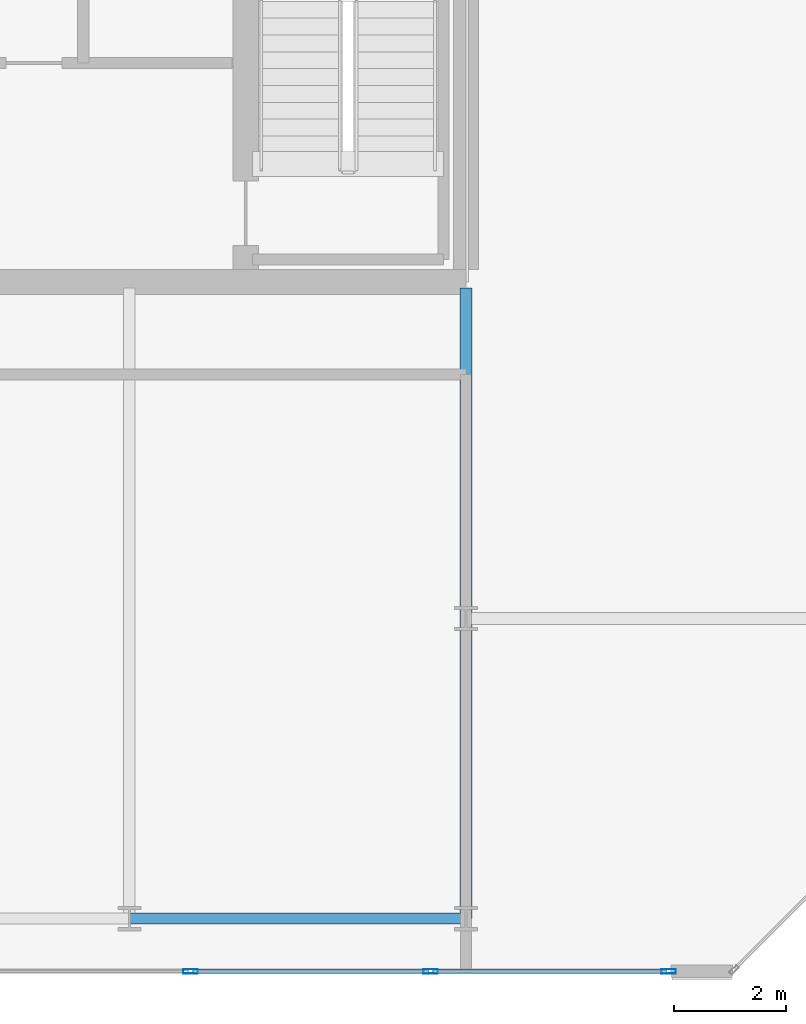
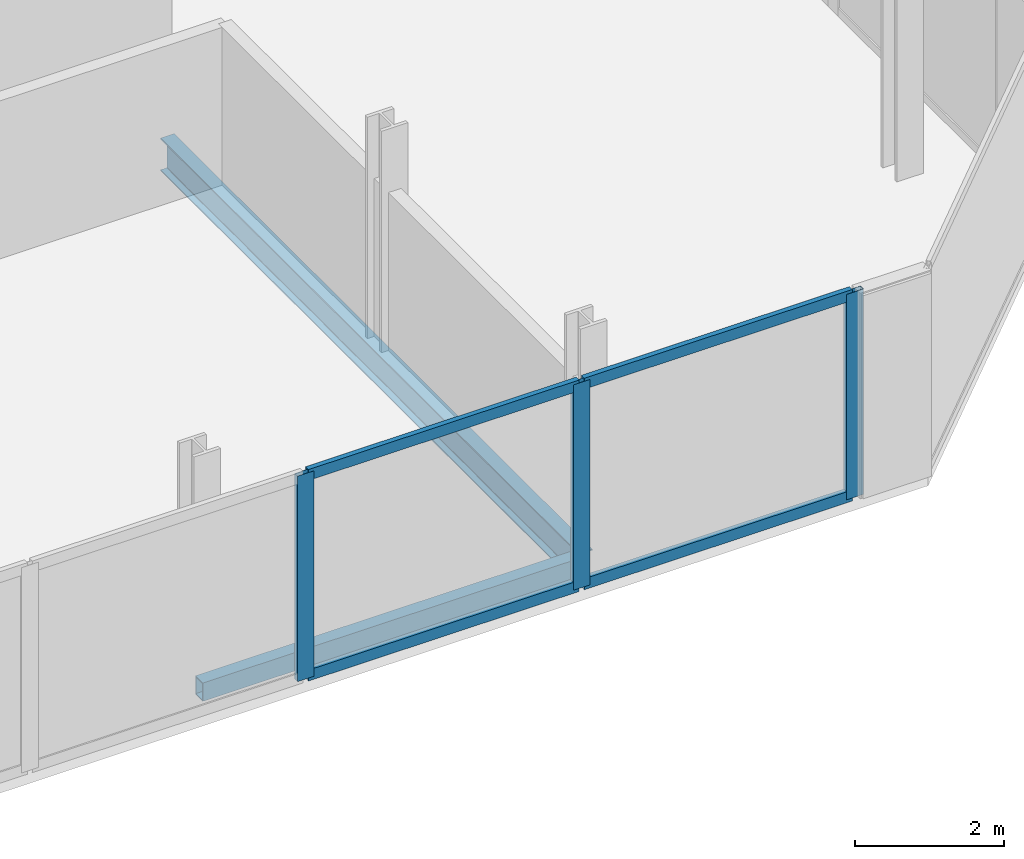
# One storey, part 6 of 16: 7 members, 2 beams, 1 element without a shape of its own.
"""IFC4 building model written with IfcOpenShell, lengths in metres."""

from ifc_helpers import new_model, si_unit, direction, frame, origin, origin_2d, place, context, subcontext, project, spatial, hollow_rectangle, i_section, extrude, material, layer, layer_set, material_profile, profile_set, type_object, element, aggregate, save


model = new_model("IFC4")

# Units and contexts
model_context = context("Model", 3, precision=1e-05, world=origin(), true_north=direction((0.0, 1.0)))
body_context = subcontext(model_context, "Body", "Model", "MODEL_VIEW")
ifc_project = project(units=[si_unit("LENGTHUNIT", "METRE"), si_unit("AREAUNIT", "SQUARE_METRE"), si_unit("VOLUMEUNIT", "CUBIC_METRE"), si_unit("PLANEANGLEUNIT", "RADIAN"), si_unit("MASSUNIT", "GRAM", prefix="KILO")], contexts=[model_context])

# Site, building, storey
site_placement = place(None, origin())
site = spatial("IfcSite", under=ifc_project, at=site_placement, CompositionType="ELEMENT")
building_placement = place(site_placement, origin())
building = spatial("IfcBuilding", under=site, at=building_placement, Name="Tanjung Sevakor Pilgrim Tower", CompositionType="ELEMENT")
storey_placement = place(building_placement, frame((0.0, 0.0, 275.219970703125)))
storey = spatial("IfcBuildingStorey", under=building, at=storey_placement, Name="L77", CompositionType="ELEMENT", Elevation=275.219970703125)

# Beams
ifc_material_1 = material(Name="Steel S355J2", Category="steel")
ifc_material_profile_1 = material_profile(ifc_material_1, i_section(OverallWidth=0.210693359375, OverallDepth=0.53955078125, WebThickness=0.01171875, FlangeThickness=0.018798828125, FilletRadius=0.0126953125, at=origin_2d()))
ifc_profile_set_1 = profile_set([ifc_material_profile_1], Name="Steel S355J2")
beam_type_1 = type_object("IfcBeamType", Name="BM-B-G6-UB_533x210x109", PredefinedType="BEAM", material=ifc_profile_set_1)
beam_1_placement = place(storey_placement, frame((90.0, 13.25, -0.48974609375), z_axis=(0.0, 1.0, 0.0), x_axis=(-1.0, 0.0, 0.0)))
element("IfcBeam", 1, at=beam_1_placement, inside=storey, type_object=beam_type_1, Name="L77 EAST Girder 009", PredefinedType="BEAM", context=body_context, shape_type="SweptSolid", body=[
    extrude(i_section(OverallWidth=0.210693359375, OverallDepth=0.53955078125, WebThickness=0.01171875, FlangeThickness=0.018798828125, FilletRadius=0.0126953125, at=origin_2d()), origin(), (0.0, 0.0, 1.0), 11.243896484375),
])
ifc_material_2 = material(Name="Steel S355J2", Category="steel")
ifc_material_profile_2 = material_profile(ifc_material_2, hollow_rectangle(XDim=0.199951171875, YDim=0.300048828125, WallThickness=0.012451171875, at=origin_2d()))
ifc_profile_set_2 = profile_set([ifc_material_profile_2], Name="Steel S355J2")
beam_type_2 = type_object("IfcBeamType", Name="BM-B-SP3-RHS_300x200x12.5", PredefinedType="SPANDREL", material=ifc_profile_set_2)
beam_2_placement = place(storey_placement, frame((84.0, 13.25, -0.369873046875), z_axis=(1.0, 0.0, 0.0), x_axis=(0.0, 1.0, 0.0)))
element("IfcBeam", 2, at=beam_2_placement, inside=storey, type_object=beam_type_2, Name="L77 Spandrel EAST S-05", PredefinedType="SPANDREL", context=body_context, shape_type="SweptSolid", body=[
    extrude(hollow_rectangle(XDim=0.199951171875, YDim=0.300048828125, WallThickness=0.012451171875, at=origin_2d()), origin(), (0.0, 0.0, 1.0), 6.0),
])

# Curtain wall, members
ifc_material_3 = material(Name="Aluminium 6063-T6 and Low-E Glass", Category="aluminium")
ifc_layer = layer(ifc_material_3, 0.219970703125)
ifc_layer_set = layer_set([ifc_layer], Name="CW-SYS-CRNE")
curtain_wall_type = type_object("IfcCurtainWallType", Name="CW-SYS-CRNE", PredefinedType="NOTDEFINED", material=ifc_layer_set)
curtain_wall_placement = place(storey_placement, origin())
curtain_wall = element("IfcCurtainWall", 3, at=curtain_wall_placement, inside=storey, type_object=curtain_wall_type, Name="L77 Curtain Wall CW-CRN-L77-EAST-0-1", PredefinedType="NOTDEFINED")
ifc_material_4 = material(Name="Aluminium 6063-T6", Category="aluminium")
ifc_material_profile_3 = material_profile(ifc_material_4, hollow_rectangle(XDim=0.080078125, YDim=0.260009765625, WallThickness=0.0048828125, at=origin_2d()))
ifc_profile_set_3 = profile_set([ifc_material_profile_3], Name="Aluminium 6063-T6")
member_type_1 = type_object("IfcMemberType", Name="TYPE-CWM-3", PredefinedType="MULLION", material=ifc_profile_set_3)
member_1_placement = place(storey_placement, frame((85.0908203125, 12.31005859375, 0.0), z_axis=(0.0, 0.0, 1.0), x_axis=(0.0, 1.0, 0.0)))
member_1 = element("IfcMember", 4, at=member_1_placement, type_object=member_type_1, Name="CW-CRE mullion 4", PredefinedType="MULLION", context=body_context, shape_type="SweptSolid", body=[
    extrude(hollow_rectangle(XDim=0.080078125, YDim=0.260009765625, WallThickness=0.0048828125, at=origin_2d()), origin(), (0.0, 0.0, 1.0), 3.3701171875),
])
member_2_placement = place(storey_placement, frame((89.37255859375, 12.31005859375, 0.0), z_axis=(0.0, 0.0, 1.0), x_axis=(0.0, 1.0, 0.0)))
member_2 = element("IfcMember", 5, at=member_2_placement, type_object=member_type_1, Name="CW-CRE mullion 5", PredefinedType="MULLION", context=body_context, shape_type="SweptSolid", body=[
    extrude(hollow_rectangle(XDim=0.080078125, YDim=0.260009765625, WallThickness=0.0048828125, at=origin_2d()), origin(), (0.0, 0.0, 1.0), 3.3701171875),
])
member_3_placement = place(storey_placement, frame((93.614501953125, 12.31005859375, 0.0), z_axis=(0.0, 0.0, 1.0), x_axis=(0.0, 1.0, 0.0)))
member_3 = element("IfcMember", 6, at=member_3_placement, type_object=member_type_1, Name="CW-CRE mullion 6", PredefinedType="MULLION", context=body_context, shape_type="SweptSolid", body=[
    extrude(hollow_rectangle(XDim=0.080078125, YDim=0.260009765625, WallThickness=0.0048828125, at=origin_2d()), origin(), (0.0, 0.0, 1.0), 3.3701171875),
])
ifc_material_5 = material(Name="Aluminium 6063-T6", Category="aluminium")
ifc_material_profile_4 = material_profile(ifc_material_5, hollow_rectangle(XDim=0.080078125, YDim=0.179931640625, WallThickness=0.0048828125, at=origin_2d()))
ifc_profile_set_4 = profile_set([ifc_material_profile_4], Name="Aluminium 6063-T6")
member_type_2 = type_object("IfcMemberType", Name="TYPE-CWT-3", PredefinedType="USERDEFINED", material=ifc_profile_set_4)
member_4_placement = place(storey_placement, frame((85.130859375, 12.31005859375, 0.0400390625), z_axis=(1.0, 0.0, 0.0), x_axis=(0.0, 1.0, 0.0)))
member_4 = element("IfcMember", 7, at=member_4_placement, type_object=member_type_2, Name="CW-CRE transom 4.1", ObjectType="TRANSOM", PredefinedType="USERDEFINED", context=body_context, shape_type="SweptSolid", body=[
    extrude(hollow_rectangle(XDim=0.080078125, YDim=0.179931640625, WallThickness=0.0048828125, at=origin_2d()), origin(), (0.0, 0.0, 1.0), 4.20166015625),
])
member_5_placement = place(storey_placement, frame((85.130859375, 12.31005859375, 3.330078125), z_axis=(1.0, 0.0, 0.0), x_axis=(0.0, 1.0, 0.0)))
member_5 = element("IfcMember", 8, at=member_5_placement, type_object=member_type_2, Name="CW-CRE transom 4.2", ObjectType="TRANSOM", PredefinedType="USERDEFINED", context=body_context, shape_type="SweptSolid", body=[
    extrude(hollow_rectangle(XDim=0.080078125, YDim=0.179931640625, WallThickness=0.0048828125, at=origin_2d()), origin(), (0.0, 0.0, 1.0), 4.20166015625),
])
member_6_placement = place(storey_placement, frame((89.41259765625, 12.31005859375, 0.0400390625), z_axis=(1.0, 0.0, 0.0), x_axis=(0.0, 1.0, 0.0)))
member_6 = element("IfcMember", 9, at=member_6_placement, type_object=member_type_2, Name="CW-CRE transom 5.1", ObjectType="TRANSOM", PredefinedType="USERDEFINED", context=body_context, shape_type="SweptSolid", body=[
    extrude(hollow_rectangle(XDim=0.080078125, YDim=0.179931640625, WallThickness=0.0048828125, at=origin_2d()), origin(), (0.0, 0.0, 1.0), 4.161865234375),
])
member_7_placement = place(storey_placement, frame((89.41259765625, 12.31005859375, 3.330078125), z_axis=(1.0, 0.0, 0.0), x_axis=(0.0, 1.0, 0.0)))
member_7 = element("IfcMember", 10, at=member_7_placement, type_object=member_type_2, Name="CW-CRE transom 5.2", ObjectType="TRANSOM", PredefinedType="USERDEFINED", context=body_context, shape_type="SweptSolid", body=[
    extrude(hollow_rectangle(XDim=0.080078125, YDim=0.179931640625, WallThickness=0.0048828125, at=origin_2d()), origin(), (0.0, 0.0, 1.0), 4.161865234375),
])
aggregate(curtain_wall, [member_1, member_2, member_3, member_4, member_5, member_6, member_7])

save(model, "model.ifc")
